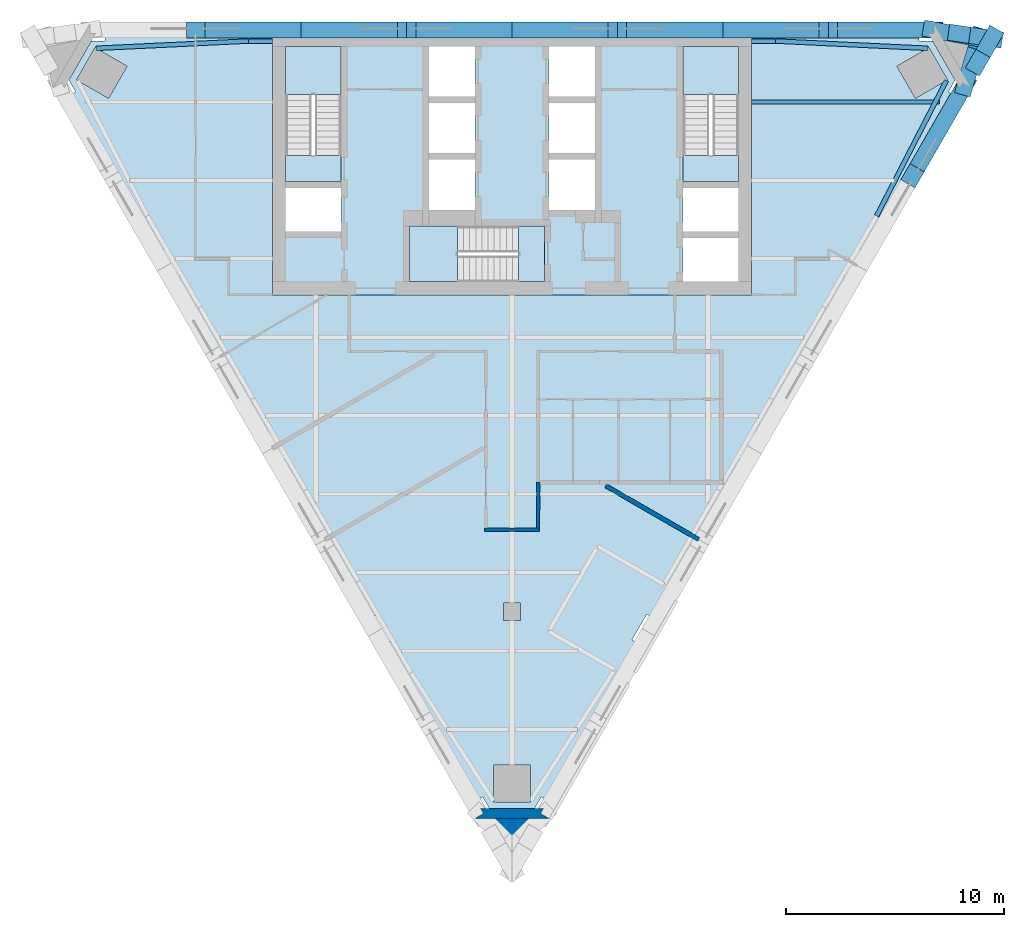
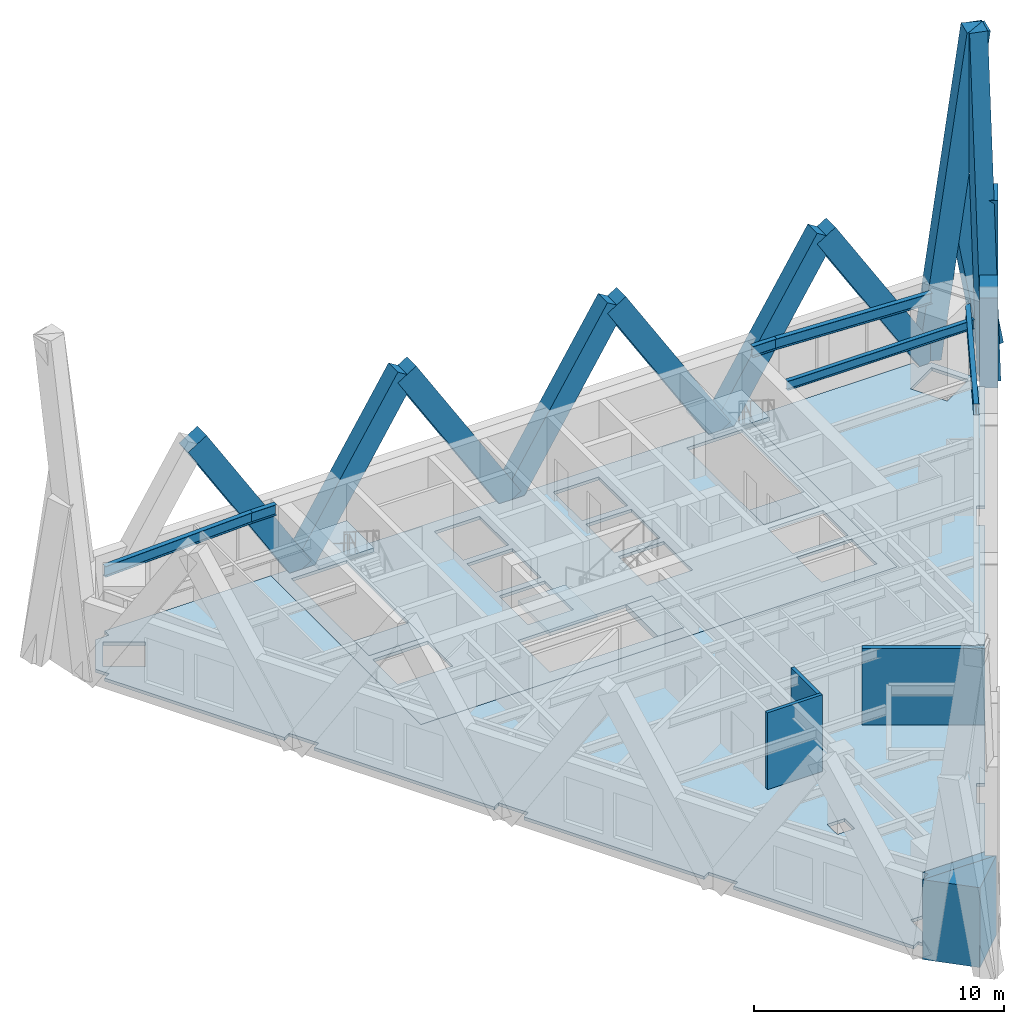
# One storey, part 2 of 7: 12 members, 8 slabs, 6 beams, 5 walls, 3 elements without a shape of their own.
"""IFC4 building model written with IfcOpenShell, lengths in metres."""

from ifc_helpers import new_model, si_unit, direction, frame, frame_2d, origin, origin_2d, place, context, subcontext, project, spatial, polyline, rectangle, i_section, outline, extrude, material, layer, layer_set, material_profile, profile_set, type_object, element, aggregate, save


model = new_model("IFC4")

# Units and contexts
model_context = context("Model", 3, precision=1e-05, world=origin(), true_north=direction((0.0, 1.0)))
body_context = subcontext(model_context, "Body", "Model", "MODEL_VIEW")
ifc_project = project(units=[si_unit("LENGTHUNIT", "METRE"), si_unit("AREAUNIT", "SQUARE_METRE"), si_unit("VOLUMEUNIT", "CUBIC_METRE"), si_unit("PLANEANGLEUNIT", "RADIAN"), si_unit("MASSUNIT", "GRAM", prefix="KILO")], contexts=[model_context])

# Site, building, storey
site_placement = place(None, origin())
site = spatial("IfcSite", under=ifc_project, at=site_placement, CompositionType="ELEMENT")
building_placement = place(site_placement, origin())
building = spatial("IfcBuilding", under=site, at=building_placement, Name="Aloe Facet Convention Tower", CompositionType="ELEMENT")
storey_placement = place(building_placement, frame((0.0, 0.0, 211.39990234375)))
storey = spatial("IfcBuildingStorey", under=building, at=storey_placement, Name="L53", CompositionType="ELEMENT", Elevation=211.39990234375)

# Beams
ifc_material_1 = material(Name="Steel S355", Category="steel")
ifc_material_profile_1 = material_profile(ifc_material_1, i_section(OverallWidth=0.19140625, OverallDepth=0.4599609375, WebThickness=0.010009765625, FlangeThickness=0.01611328125, FilletRadius=0.01025390625, at=origin_2d()), Name="UB 457x191x82")
ifc_profile_set_1 = profile_set([ifc_material_profile_1], Name="Steel S355")
beam_type_1 = type_object("IfcBeamType", Name="SF-B-UB457x191x82", PredefinedType="BEAM", material=ifc_profile_set_1)
beam_1_placement = place(storey_placement, frame((91.0, 131.39990234375, 3.52001953125), z_axis=(1.0, 0.0, 0.0), x_axis=(0.0, 1.0, 0.0)))
element("IfcBeam", 1, at=beam_1_placement, inside=storey, type_object=beam_type_1, Name="Floor beam FB-Z4G-046", PredefinedType="BEAM", context=body_context, shape_type="SweptSolid", body=[
    extrude(i_section(OverallWidth=0.19140625, OverallDepth=0.4599609375, WebThickness=0.010009765625, FlangeThickness=0.01611328125, FilletRadius=0.01025390625, at=origin_2d()), origin(), (0.0, 0.0, 1.0), 8.626220703125),
])
ifc_material_2 = material(Name="Steel S355", Category="steel")
ifc_material_profile_2 = material_profile(ifc_material_2, i_section(OverallWidth=0.209228515625, OverallDepth=0.533203125, WebThickness=0.010009765625, FlangeThickness=0.015625, FilletRadius=0.0126953125, at=origin_2d()), Name="UB 533x210x92")
ifc_profile_set_2 = profile_set([ifc_material_profile_2], Name="Steel S355")
beam_type_2 = type_object("IfcBeamType", Name="SF-B-UB533x210x92", PredefinedType="BEAM", material=ifc_profile_set_2)
beam_2_placement = place(storey_placement, frame((60.9072265625, 133.861572265625, 3.483642578125), z_axis=(0.998862131036, 0.047691122669, 0.0), x_axis=(-0.047691122669, 0.998862131036, 0.0)))
element("IfcBeam", 2, at=beam_2_placement, inside=storey, type_object=beam_type_2, Name="Floor beam FB-Z4G-001", PredefinedType="BEAM", context=body_context, shape_type="SweptSolid", body=[
    extrude(i_section(OverallWidth=0.209228515625, OverallDepth=0.533203125, WebThickness=0.010009765625, FlangeThickness=0.015625, FilletRadius=0.0126953125, at=origin_2d()), origin(), (0.0, 0.0, 1.0), 6.998046875),
])
for number, where, z_axis, x_axis, name in (
    (3, (67.897216796875, 134.1953125, 3.483642578125), (1.0, 0.0, 0.0), (0.0, 1.0, 0.0), "Floor beam FB-Z4G-004"),
    (4, (91.0, 134.1953125, 3.483642578125), (1.0, 0.0, 0.0), (0.0, 1.0, 0.0), "Floor beam FB-Z4G-015"),
):
    element("IfcBeam", number, at=place(storey_placement, frame(where, z_axis=z_axis, x_axis=x_axis)), inside=storey, type_object=beam_type_2, Name=name, PredefinedType="BEAM", context=body_context, shape_type="SweptSolid", body=[
        extrude(i_section(OverallWidth=0.209228515625, OverallDepth=0.533203125, WebThickness=0.010009765625, FlangeThickness=0.015625, FilletRadius=0.0126953125, at=origin_2d()), origin(), (0.0, 0.0, 1.0), 1.102783203125),
    ])
for number, where, z_axis, x_axis, name in (
    (5, (92.102783203125, 134.1953125, 3.483642578125), (0.998862131036, -0.047691122669, 0.0), (0.047691122669, 0.998862131036, 0.0), "Floor beam FB-Z4G-017"),
    (6, (99.94287109375, 132.389404296875, 3.483642578125), (-0.458134533977, -0.888882865611, 0.0), (0.888882865611, -0.458134533977, 0.0), "Floor beam FB-Z4G-020"),
):
    element("IfcBeam", number, at=place(storey_placement, frame(where, z_axis=z_axis, x_axis=x_axis)), inside=storey, type_object=beam_type_2, Name=name, PredefinedType="BEAM", context=body_context, shape_type="SweptSolid", body=[
        extrude(i_section(OverallWidth=0.209228515625, OverallDepth=0.533203125, WebThickness=0.010009765625, FlangeThickness=0.015625, FilletRadius=0.0126953125, at=origin_2d()), origin(), (0.0, 0.0, 1.0), 6.998046875),
    ])

# Members
ifc_material_3 = material(Name="Concrete C60/75, bronze oxide finish", Category="concrete")
ifc_material_profile_3 = material_profile(ifc_material_3, rectangle(XDim=0.75, YDim=1.0, at=origin_2d()), Name="STW-LM")
ifc_profile_set_3 = profile_set([ifc_material_profile_3], Name="Concrete C60/75, bronze oxide finish")
member_type = type_object("IfcMemberType", Name="STW-LM", PredefinedType="BRACE", material=ifc_profile_set_3)
for number, where, z_axis, x_axis, name in (
    (7, (99.364501953125, 134.699951171875, 0.0), (-0.52733571948, 0.0, 0.849657012541), (0.0, -1.0, 0.0), "Lattice member LM-Z4-F1-R4-01"),
    (8, (89.682373046875, 134.699951171875, 0.0), (0.52733571948, 0.0, 0.849657012541), (0.0, 1.0, 0.0), "Lattice member LM-Z4-F1-R4-02"),
):
    element("IfcMember", number, at=place(storey_placement, frame(where, z_axis=z_axis, x_axis=x_axis)), inside=storey, type_object=member_type, Name=name, PredefinedType="BRACE", context=body_context, shape_type="SweptSolid", body=[
        extrude(rectangle(XDim=0.75, YDim=1.0, at=origin_2d()), origin(), (0.0, 0.0, 1.0), 9.18017578125),
    ])
member_1_placement = place(storey_placement, frame((89.682373046875, 134.699951171875, 0.0), z_axis=(-0.527354917858, 0.0, 0.849645096856), x_axis=(0.0, -1.0, 0.0)))
element("IfcMember", 9, at=member_1_placement, inside=storey, type_object=member_type, Name="Lattice member LM-Z4-F1-R4-03", PredefinedType="BRACE", context=body_context, shape_type="SweptSolid", body=[
    extrude(rectangle(XDim=0.75, YDim=1.0, at=origin_2d()), origin(), (0.0, 0.0, 1.0), 9.180419921875),
])
for number, where, z_axis, x_axis, name in (
    (10, (80.0, 134.699951171875, 0.0), (0.52733571948, 0.0, 0.849657012541), (0.0, 1.0, 0.0), "Lattice member LM-Z4-F1-R4-04"),
    (11, (80.0, 134.699951171875, 0.0), (-0.52733571948, 0.0, 0.849657012541), (0.0, -1.0, 0.0), "Lattice member LM-Z4-F1-R4-05"),
):
    element("IfcMember", number, at=place(storey_placement, frame(where, z_axis=z_axis, x_axis=x_axis)), inside=storey, type_object=member_type, Name=name, PredefinedType="BRACE", context=body_context, shape_type="SweptSolid", body=[
        extrude(rectangle(XDim=0.75, YDim=1.0, at=origin_2d()), origin(), (0.0, 0.0, 1.0), 9.18017578125),
    ])
member_2_placement = place(storey_placement, frame((70.317626953125, 134.699951171875, 0.0), z_axis=(0.527354917858, 0.0, 0.849645096856), x_axis=(0.0, 1.0, 0.0)))
element("IfcMember", 12, at=member_2_placement, inside=storey, type_object=member_type, Name="Lattice member LM-Z4-F1-R4-06", PredefinedType="BRACE", context=body_context, shape_type="SweptSolid", body=[
    extrude(rectangle(XDim=0.75, YDim=1.0, at=origin_2d()), origin(), (0.0, 0.0, 1.0), 9.180419921875),
])
for number, where, z_axis, x_axis, name in (
    (13, (70.317626953125, 134.699951171875, 0.0), (-0.52733571948, 0.0, 0.849657012541), (0.0, -1.0, 0.0), "Lattice member LM-Z4-F1-R4-07"),
    (14, (100.8046875, 132.20556640625, 0.0), (-0.263653622482, -0.456699985767, 0.84965398272), (0.866043662766, -0.499968373182, 0.0), "Lattice member LM-Z4-F3-R4-08"),
):
    element("IfcMember", number, at=place(storey_placement, frame(where, z_axis=z_axis, x_axis=x_axis)), inside=storey, type_object=member_type, Name=name, PredefinedType="BRACE", context=body_context, shape_type="SweptSolid", body=[
        extrude(rectangle(XDim=0.75, YDim=1.0, at=origin_2d()), origin(), (0.0, 0.0, 1.0), 9.18017578125),
    ])
member_3_placement = place(storey_placement, frame((100.8046875, 132.20556640625, 0.0), z_axis=(0.038451690039, 0.133364285684, 0.990320874685), x_axis=(-0.960859609516, 0.277035757259, 0.0)))
element("IfcMember", 15, at=member_3_placement, inside=storey, type_object=member_type, Name="Lattice member LM-Z4-F6-R4-01", PredefinedType="BRACE", context=body_context, shape_type="SweptSolid", body=[
    extrude(rectangle(XDim=0.75, YDim=1.0, at=origin_2d()), origin(), (0.0, 0.0, 1.0), 15.752685546875),
])
member_4_placement = place(storey_placement, frame((102.01123046875, 134.311767578125, 0.0), z_axis=(-0.076406185436, -0.133402498246, 0.988112275143), x_axis=(0.867749030255, -0.497002636303, 0.0)))
element("IfcMember", 16, at=member_4_placement, inside=storey, type_object=member_type, Name="Lattice member LM-Z4-F6-R4-02", PredefinedType="BRACE", context=body_context, shape_type="SweptSolid", body=[
    extrude(rectangle(XDim=0.75, YDim=1.0, at=origin_2d()), origin(), (0.0, 0.0, 1.0), 8.314208984375),
])
member_5_placement = place(storey_placement, frame((99.364501953125, 134.699951171875, 0.0), z_axis=(0.129992376301, -0.025005693389, 0.991199625404), x_axis=(0.188899549166, 0.981996415638, 0.0)))
element("IfcMember", 17, at=member_5_placement, inside=storey, type_object=member_type, Name="Lattice member LM-Z4-F6-R4-03", PredefinedType="BRACE", context=body_context, shape_type="SweptSolid", body=[
    extrude(rectangle(XDim=0.75, YDim=1.0, at=origin_2d()), origin(), (0.0, 0.0, 1.0), 15.738525390625),
])
member_6_placement = place(storey_placement, frame((102.01123046875, 134.311767578125, 0.0), z_axis=(-0.16722746671, 0.024528524239, 0.985613172536), x_axis=(-0.145124781658, -0.989413360405, 0.0)))
element("IfcMember", 18, at=member_6_placement, inside=storey, type_object=member_type, Name="Lattice member LM-Z4-F6-R4-04", PredefinedType="BRACE", context=body_context, shape_type="SweptSolid", body=[
    extrude(rectangle(XDim=0.75, YDim=1.0, at=origin_2d()), origin(), (0.0, 0.0, 1.0), 8.898193359375),
])

# Slabs
ifc_material_4 = material(Name="Concrete C50/60", Category="concrete")
ifc_layer_1 = layer(ifc_material_4, 0.14990234375)
ifc_layer_set_1 = layer_set([ifc_layer_1], Name="CR-S-FLOOR150-C5060")
slab_type_1 = type_object("IfcSlabType", Name="CR-S-FLOOR150-C5060", PredefinedType="FLOOR", material=ifc_layer_set_1)
slab_1_placement = place(storey_placement, frame((0.0, 0.0, -0.14990234375)))
element("IfcSlab", 19, at=slab_1_placement, inside=storey, type_object=slab_type_1, Name="Core floor L53", PredefinedType="FLOOR", context=body_context, shape_type="SweptSolid", body=[
    extrude(outline(polyline([(71.85009765625, 134.550048828125), (72.75, 134.550048828125), (75.60009765625, 134.550048828125), (76.5, 134.550048828125), (78.0, 134.550048828125), (78.89990234375, 134.550048828125), (81.10009765625, 134.550048828125), (82.0, 134.550048828125), (83.5, 134.550048828125), (84.39990234375, 134.550048828125), (87.25, 134.550048828125), (88.14990234375, 134.550048828125), (91.0, 134.550048828125), (91.0, 128.050048828125), (91.0, 127.14990234375), (91.0, 125.75), (91.0, 124.85009765625), (91.0, 122.550048828125), (88.14990234375, 122.550048828125), (87.25, 122.550048828125), (85.300048828125, 122.550048828125), (84.39990234375, 122.550048828125), (82.10009765625, 122.550048828125), (81.199951171875, 122.550048828125), (75.60009765625, 122.550048828125), (74.699951171875, 122.550048828125), (72.75, 122.550048828125), (71.85009765625, 122.550048828125), (69.0, 122.550048828125), (69.0, 124.85009765625), (69.0, 125.75), (69.0, 127.14990234375), (69.0, 128.050048828125), (69.0, 134.550048828125), (71.85009765625, 134.550048828125)]), holes=[polyline([(80.298828125, 123.14990234375), (81.5, 123.14990234375), (81.5, 125.699951171875), (80.298828125, 125.699951171875), (75.300048828125, 125.699951171875), (75.300048828125, 123.14990234375), (80.298828125, 123.14990234375)]), polyline([(69.60009765625, 125.449951171875), (72.14990234375, 125.449951171875), (72.14990234375, 127.449951171875), (69.60009765625, 127.449951171875), (69.60009765625, 125.449951171875)]), polyline([(76.199951171875, 126.449951171875), (78.300048828125, 126.449951171875), (78.300048828125, 128.75), (76.199951171875, 128.75), (76.199951171875, 126.449951171875)]), polyline([(78.300048828125, 129.050048828125), (78.300048828125, 131.35009765625), (76.199951171875, 131.35009765625), (76.199951171875, 129.050048828125), (78.300048828125, 129.050048828125)]), polyline([(69.60009765625, 133.949951171875), (69.60009765625, 128.951171875), (69.60009765625, 127.75), (72.14990234375, 127.75), (72.14990234375, 128.951171875), (72.14990234375, 133.949951171875), (69.60009765625, 133.949951171875)]), polyline([(76.199951171875, 131.64990234375), (78.300048828125, 131.64990234375), (78.300048828125, 133.949951171875), (76.199951171875, 133.949951171875), (76.199951171875, 131.64990234375)]), polyline([(90.39990234375, 123.14990234375), (90.39990234375, 125.14990234375), (87.85009765625, 125.14990234375), (87.85009765625, 123.14990234375), (90.39990234375, 123.14990234375)]), polyline([(87.85009765625, 125.449951171875), (90.39990234375, 125.449951171875), (90.39990234375, 127.449951171875), (87.85009765625, 127.449951171875), (87.85009765625, 125.449951171875)]), polyline([(81.699951171875, 126.449951171875), (83.800048828125, 126.449951171875), (83.800048828125, 128.75), (81.699951171875, 128.75), (81.699951171875, 126.449951171875)]), polyline([(83.800048828125, 129.050048828125), (83.800048828125, 131.35009765625), (81.699951171875, 131.35009765625), (81.699951171875, 129.050048828125), (83.800048828125, 129.050048828125)]), polyline([(87.85009765625, 133.949951171875), (87.85009765625, 128.951171875), (87.85009765625, 127.75), (90.39990234375, 127.75), (90.39990234375, 128.951171875), (90.39990234375, 133.949951171875), (87.85009765625, 133.949951171875)]), polyline([(81.699951171875, 131.64990234375), (83.800048828125, 131.64990234375), (83.800048828125, 133.949951171875), (81.699951171875, 133.949951171875), (81.699951171875, 131.64990234375)])]), origin(), (0.0, 0.0, 1.0), 0.14990234375),
])
ifc_material_5 = material(Name="Concrete C50/60", Category="concrete")
ifc_layer_2 = layer(ifc_material_5, 0.300048828125)
ifc_layer_set_2 = layer_set([ifc_layer_2], Name="CR-S-FLOOR300-C5060")
slab_type_2 = type_object("IfcSlabType", Name="CR-S-FLOOR300-C5060", PredefinedType="FLOOR", material=ifc_layer_set_2)
slab_2_placement = place(storey_placement, frame((0.0, 0.0, -0.2998046875)))
element("IfcSlab", 20, at=slab_2_placement, inside=storey, type_object=slab_type_2, Name="Stair landing floor L53", PredefinedType="FLOOR", context=body_context, shape_type="SweptSolid", body=[
    extrude(outline(polyline([(72.14990234375, 127.75), (72.14990234375, 128.951171875), (69.60009765625, 128.951171875), (69.60009765625, 127.75), (72.14990234375, 127.75)])), origin(), (0.0, 0.0, 1.0), 0.2998046875),
])
slab_3_placement = place(storey_placement, frame((0.0, 0.0, -0.2998046875)))
element("IfcSlab", 21, at=slab_3_placement, inside=storey, type_object=slab_type_2, Name="Stair landing floor L53", PredefinedType="FLOOR", context=body_context, shape_type="SweptSolid", body=[
    extrude(outline(polyline([(90.39990234375, 127.75), (90.39990234375, 128.951171875), (87.85009765625, 128.951171875), (87.85009765625, 127.75), (90.39990234375, 127.75)])), origin(), (0.0, 0.0, 1.0), 0.2998046875),
])
slab_4_placement = place(storey_placement, frame((0.0, 0.0, -0.2998046875)))
element("IfcSlab", 22, at=slab_4_placement, inside=storey, type_object=slab_type_2, Name="Stair landing floor L53", PredefinedType="FLOOR", context=body_context, shape_type="SweptSolid", body=[
    extrude(outline(polyline([(81.5, 125.699951171875), (80.298828125, 125.699951171875), (80.298828125, 123.14990234375), (81.5, 123.14990234375), (81.5, 125.699951171875)])), origin(), (0.0, 0.0, 1.0), 0.2998046875),
])

# Stair, slab
ifc_material_6 = material(Name="Concrete C50/60", Category="concrete")
stair_type = type_object("IfcStairType", Name="CR-ST-22R", PredefinedType="HALF_TURN_STAIR", material=ifc_material_6)
stair_1_placement = place(storey_placement, origin())
stair_1 = element("IfcStair", 23, at=stair_1_placement, inside=storey, type_object=stair_type, Name="L53 Protected exit stair ST1", PredefinedType="HALF_TURN_STAIR")
ifc_material_7 = material(Name="Concrete C50/60", Category="concrete")
ifc_layer_3 = layer(ifc_material_7, 0.199951171875)
ifc_layer_set_3 = layer_set([ifc_layer_3], Name="CR-SL-LANDING")
slab_type_3 = type_object("IfcSlabType", Name="CR-SL-LANDING", PredefinedType="LANDING", material=ifc_layer_set_3)
slab_5_placement = place(storey_placement, frame((0.0, 0.0, 1.75)))
slab_5 = element("IfcSlab", 24, at=slab_5_placement, type_object=slab_type_3, Name="ST1 landing 1", PredefinedType="LANDING", context=body_context, shape_type="SweptSolid", body=[
    extrude(outline(polyline([(72.14990234375, 131.75), (72.14990234375, 133.949951171875), (69.60009765625, 133.949951171875), (69.60009765625, 131.75), (72.14990234375, 131.75)])), origin(), (0.0, 0.0, 1.0), 0.2001953125),
])
aggregate(stair_1, [slab_5])

stair_2_placement = place(storey_placement, origin())
stair_2 = element("IfcStair", 25, at=stair_2_placement, inside=storey, type_object=stair_type, Name="L53 Protected exit stair ST2", PredefinedType="HALF_TURN_STAIR")
slab_6_placement = place(storey_placement, frame((0.0, 0.0, 1.75)))
slab_6 = element("IfcSlab", 26, at=slab_6_placement, type_object=slab_type_3, Name="ST2 landing 1", PredefinedType="LANDING", context=body_context, shape_type="SweptSolid", body=[
    extrude(outline(polyline([(90.39990234375, 131.75), (90.39990234375, 133.949951171875), (87.85009765625, 133.949951171875), (87.85009765625, 131.75), (90.39990234375, 131.75)])), origin(), (0.0, 0.0, 1.0), 0.2001953125),
])
aggregate(stair_2, [slab_6])

stair_3_placement = place(storey_placement, origin())
stair_3 = element("IfcStair", 27, at=stair_3_placement, inside=storey, type_object=stair_type, Name="L53 Protected exit stair ST3", PredefinedType="HALF_TURN_STAIR")
slab_7_placement = place(storey_placement, frame((0.0, 0.0, 1.75)))
slab_7 = element("IfcSlab", 28, at=slab_7_placement, type_object=slab_type_3, Name="ST3 landing 1", PredefinedType="LANDING", context=body_context, shape_type="SweptSolid", body=[
    extrude(outline(polyline([(77.5, 125.699951171875), (75.300048828125, 125.699951171875), (75.300048828125, 123.14990234375), (77.5, 123.14990234375), (77.5, 125.699951171875)])), origin(), (0.0, 0.0, 1.0), 0.2001953125),
])
aggregate(stair_3, [slab_7])

# Slab
ifc_material_8 = material(Name="Concrete C35/45", Category="concrete")
ifc_layer_4 = layer(ifc_material_8, 0.14990234375)
ifc_layer_set_4 = layer_set([ifc_layer_4], Name="SF-FS-150")
slab_type_4 = type_object("IfcSlabType", Name="SF-FS-150", PredefinedType="FLOOR", material=ifc_layer_set_4)
slab_8_placement = place(storey_placement, frame((0.0, 0.0, -0.14990234375)))
element("IfcSlab", 29, at=slab_8_placement, inside=storey, type_object=slab_type_4, Name="Floor slab L53-1", PredefinedType="FLOOR", context=body_context, shape_type="SweptSolid", body=[
    extrude(outline(polyline([(100.343017578125, 132.405517578125), (100.07763671875, 131.94580078125), (100.031005859375, 131.865234375), (100.333984375, 131.690185546875), (96.174560546875, 124.485595703125), (95.871337890625, 124.66064453125), (95.726806640625, 124.41015625), (95.530517578125, 124.0703125), (95.409912109375, 123.861083984375), (95.33447265625, 123.730712890625), (95.236328125, 123.560791015625), (95.18994140625, 123.47998046875), (95.492919921875, 123.30517578125), (91.33349609375, 116.1005859375), (91.0302734375, 116.275390625), (90.983642578125, 116.19482421875), (90.689453125, 115.685302734375), (90.568603515625, 115.47607421875), (90.5458984375, 115.436767578125), (90.395263671875, 115.175537109375), (90.3486328125, 115.094970703125), (90.65185546875, 114.919921875), (86.4921875, 107.71533203125), (86.189208984375, 107.890380859375), (85.98095703125, 107.52978515625), (85.848388671875, 107.300048828125), (85.740478515625, 107.11328125), (85.598388671875, 106.867431640625), (85.55419921875, 106.79052734375), (85.507568359375, 106.7099609375), (85.810791015625, 106.534912109375), (81.651123046875, 99.330322265625), (81.347900390625, 99.50537109375), (81.035888671875, 98.965087890625), (78.964111328125, 98.965087890625), (78.652099609375, 99.50537109375), (78.348876953125, 99.330322265625), (74.189208984375, 106.534912109375), (74.492431640625, 106.7099609375), (74.44580078125, 106.79052734375), (74.2724609375, 107.0908203125), (74.267822265625, 107.098876953125), (74.151611328125, 107.300048828125), (73.95556640625, 107.639892578125), (73.857421875, 107.809814453125), (73.810791015625, 107.890380859375), (73.5078125, 107.71533203125), (69.34814453125, 114.919921875), (69.6513671875, 115.094970703125), (69.604736328125, 115.175537109375), (69.310546875, 115.685302734375), (69.016357421875, 116.19482421875), (68.9697265625, 116.275390625), (68.66650390625, 116.1005859375), (64.507080078125, 123.30517578125), (64.81005859375, 123.47998046875), (64.590087890625, 123.861083984375), (64.530517578125, 123.96435546875), (64.358154296875, 124.262939453125), (64.348388671875, 124.27978515625), (64.175048828125, 124.580078125), (64.128662109375, 124.66064453125), (63.825439453125, 124.485595703125), (59.666015625, 131.690185546875), (59.968994140625, 131.865234375), (59.656982421875, 132.405517578125), (60.693115234375, 134.199951171875), (61.223876953125, 134.199951171875), (61.31689453125, 134.199951171875), (61.31689453125, 134.550048828125), (69.0, 134.550048828125), (69.0, 128.050048828125), (69.0, 127.14990234375), (69.0, 125.75), (69.0, 124.85009765625), (69.0, 122.550048828125), (71.85009765625, 122.550048828125), (72.75, 122.550048828125), (74.699951171875, 122.550048828125), (75.60009765625, 122.550048828125), (81.199951171875, 122.550048828125), (82.10009765625, 122.550048828125), (84.39990234375, 122.550048828125), (85.300048828125, 122.550048828125), (87.25, 122.550048828125), (88.14990234375, 122.550048828125), (91.0, 122.550048828125), (91.0, 124.85009765625), (91.0, 125.75), (91.0, 127.14990234375), (91.0, 128.050048828125), (91.0, 134.550048828125), (98.68310546875, 134.550048828125), (98.68310546875, 134.199951171875), (98.776123046875, 134.199951171875), (99.306884765625, 134.199951171875), (100.343017578125, 132.405517578125)]), holes=[polyline([(62.33203125, 133.038818359375), (60.85986328125, 133.888916015625), (60.010009765625, 132.41650390625), (61.482177734375, 131.566650390625), (62.33203125, 133.038818359375)]), polyline([(79.14990234375, 100.965087890625), (79.14990234375, 99.264892578125), (80.85009765625, 99.264892578125), (80.85009765625, 100.965087890625), (79.14990234375, 100.965087890625)]), polyline([(79.60009765625, 107.60009765625), (80.39990234375, 107.60009765625), (80.39990234375, 108.39990234375), (79.60009765625, 108.39990234375), (79.60009765625, 107.60009765625)]), polyline([(99.989990234375, 132.41650390625), (99.14013671875, 133.888916015625), (97.66796875, 133.038818359375), (98.517822265625, 131.566650390625), (99.989990234375, 132.41650390625)])]), origin(), (0.0, 0.0, 1.0), 0.14990234375),
])

# Walls
ifc_material_9 = material(Name="Precast concrete C40/50", Category="concrete")
ifc_layer_5 = layer(ifc_material_9, 0.449951171875)
ifc_layer_set_5 = layer_set([ifc_layer_5], Name="EV-WALL-PIER")
wall_type_1 = type_object("IfcWallType", Name="EV-WALL-PIER", PredefinedType="SOLIDWALL", material=ifc_layer_set_5)
wall_1_placement = place(storey_placement, frame((0.0, 0.0, -0.14990234375)))
element("IfcWall", 30, at=wall_1_placement, inside=storey, type_object=wall_type_1, Name="EP-L53-B", PredefinedType="SOLIDWALL", context=body_context, shape_type="SweptSolid", body=[
    extrude(outline(polyline([(78.300048828125, 98.514892578125), (78.689697265625, 98.739990234375), (78.559814453125, 98.965087890625), (81.440185546875, 98.965087890625), (81.310302734375, 98.739990234375), (81.699951171875, 98.514892578125), (78.300048828125, 98.514892578125)])), origin(), (0.0, 0.0, 1.0), 3.89990234375),
])
ifc_material_10 = material(Name="Precast concrete C40/50", Category="concrete")
ifc_layer_6 = layer(ifc_material_10, 3.947998046875)
ifc_layer_set_6 = layer_set([ifc_layer_6], Name="EV-WALL-SPINE")
wall_type_2 = type_object("IfcWallType", Name="EV-WALL-SPINE", PredefinedType="SOLIDWALL", material=ifc_layer_set_6)
wall_2_placement = place(storey_placement, frame((0.0, 0.0, -0.14990234375)))
element("IfcWall", 31, at=wall_2_placement, inside=storey, type_object=wall_type_2, Name="SP-S-L53", PredefinedType="SOLIDWALL", context=body_context, shape_type="SweptSolid", body=[
    extrude(outline(polyline([(78.300048828125, 98.514892578125), (80.0, 96.873779296875), (81.699951171875, 98.514892578125), (78.300048828125, 98.514892578125)])), origin(), (0.0, 0.0, 1.0), 3.89990234375),
])
ifc_material_11 = material(Name="Gypsum board partition on steel studs", Category="steel")
ifc_layer_7 = layer(ifc_material_11, 0.14990234375)
ifc_layer_set_7 = layer_set([ifc_layer_7], Name="IN-W-CORR")
wall_type_3 = type_object("IfcWallType", Name="IN-W-CORR", PredefinedType="PARTITIONING", material=ifc_layer_set_7)
wall_3_placement = place(storey_placement, frame((78.72705078125, 111.766845703125, 0.0), z_axis=(0.0, 0.0, 1.0), x_axis=(1.0, 0.0, 0.0)))
element("IfcWall", 32, at=wall_3_placement, inside=storey, type_object=wall_type_3, Name="Partition L53-W002", PredefinedType="PARTITIONING", context=body_context, shape_type="SweptSolid", body=[
    extrude(rectangle(XDim=2.5458984375, YDim=0.14990234375, at=frame_2d((1.27294921875, 0.0))), origin(), (0.0, 0.0, 1.0), 3.75),
])
wall_4_placement = place(storey_placement, frame((81.197998046875, 111.841796875, 0.0), z_axis=(0.0, 0.0, 1.0), x_axis=(0.000926461675, 0.999999570834, 0.0)))
element("IfcWall", 33, at=wall_4_placement, inside=storey, type_object=wall_type_3, Name="Partition L53-W003", PredefinedType="PARTITIONING", context=body_context, shape_type="SweptSolid", body=[
    extrude(rectangle(XDim=2.108154296875, YDim=0.14990234375, at=frame_2d((1.05419921875, 0.0))), origin(), (0.0, 0.0, 1.0), 3.75),
])
ifc_material_12 = material(Name="Gypsum board partition on steel studs", Category="steel")
ifc_layer_8 = layer(ifc_material_12, 0.199951171875)
ifc_layer_set_8 = layer_set([ifc_layer_8], Name="IN-W-PARTY")
wall_type_4 = type_object("IfcWallType", Name="IN-W-PARTY", PredefinedType="PARTITIONING", material=ifc_layer_set_8)
wall_5_placement = place(storey_placement, frame((84.30712890625, 113.780029296875, 0.0), z_axis=(0.0, 0.0, 1.0), x_axis=(0.86601964755, -0.500009969958, 0.0)))
element("IfcWall", 34, at=wall_5_placement, inside=storey, type_object=wall_type_4, Name="Partition L53-W006", PredefinedType="PARTITIONING", context=body_context, shape_type="SweptSolid", body=[
    extrude(rectangle(XDim=4.9248046875, YDim=0.199951171875, at=frame_2d((2.46240234375, 0.0))), origin(), (0.0, 0.0, 1.0), 3.75),
])

save(model, "model.ifc")
